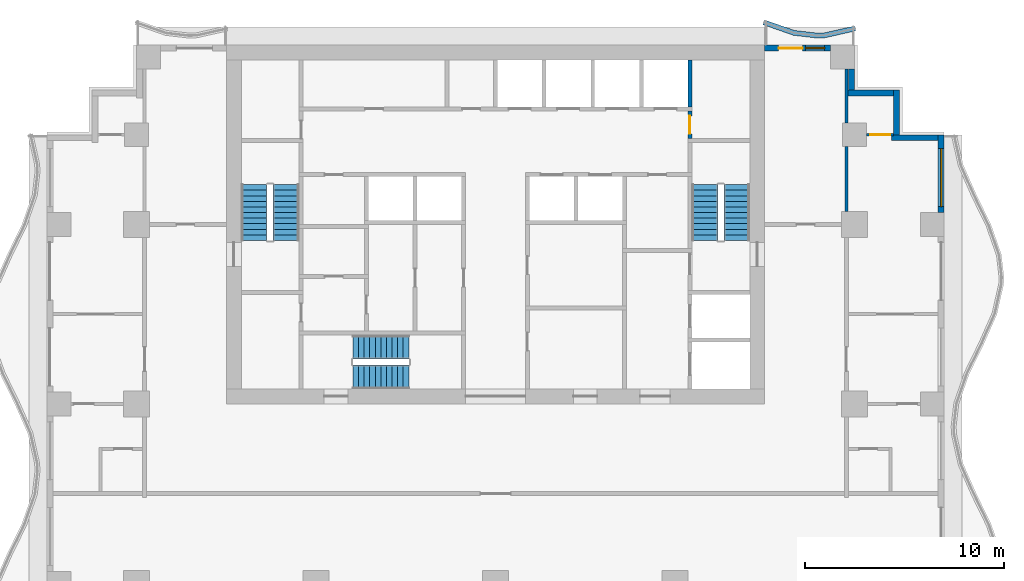
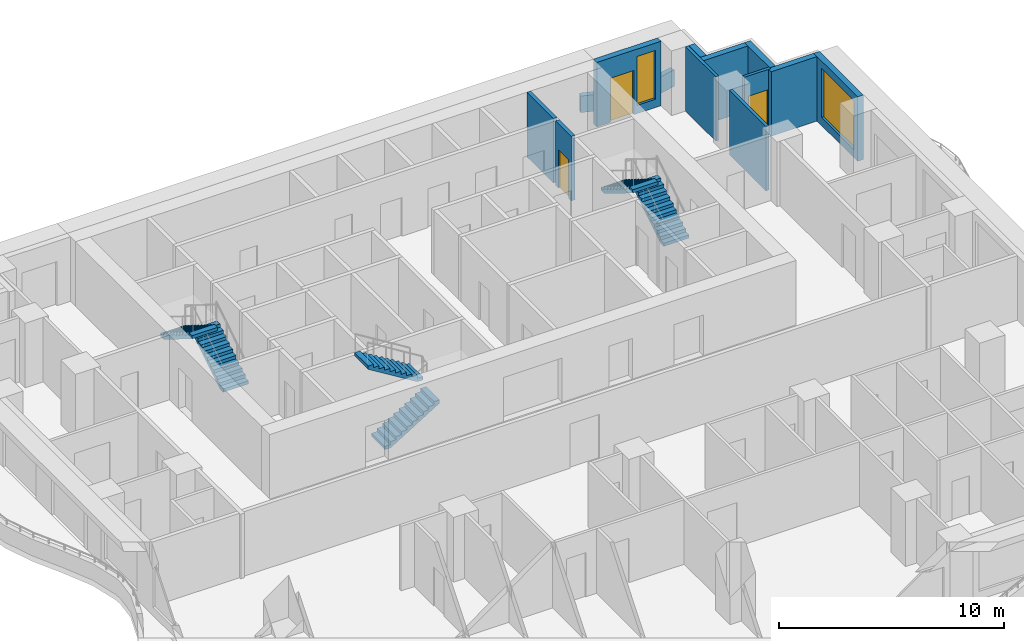
# One storey, part 6 of 10: 12 walls, 6 stair flights, 3 doors, 2 windows, 5 openings, 3 elements without a shape of their own.
"""IFC4 building model written with IfcOpenShell, lengths in metres."""

from ifc_helpers import new_model, si_unit, direction, frame, frame_2d, origin, place, context, subcontext, project, spatial, polyline, rectangle, outline, extrude, material, layer, layer_set, type_object, element, fill, aggregate, save


model = new_model("IFC4")

# Units and contexts
model_context = context("Model", 3, precision=1e-05, world=origin(), true_north=direction((0.0, 1.0)))
body_context = subcontext(model_context, "Body", "Model", "MODEL_VIEW")
ifc_project = project(units=[si_unit("LENGTHUNIT", "METRE"), si_unit("AREAUNIT", "SQUARE_METRE"), si_unit("VOLUMEUNIT", "CUBIC_METRE"), si_unit("PLANEANGLEUNIT", "RADIAN"), si_unit("MASSUNIT", "GRAM", prefix="KILO")], contexts=[model_context])

# Site, building, storey
site_placement = place(None, origin())
site = spatial("IfcSite", under=ifc_project, at=site_placement, CompositionType="ELEMENT")
building_placement = place(site_placement, origin())
building = spatial("IfcBuilding", under=site, at=building_placement, Name="Orbiselva Terraces", CompositionType="ELEMENT")
storey_placement = place(building_placement, frame((0.0, 0.0, 132.6)))
storey = spatial("IfcBuildingStorey", under=building, at=storey_placement, Name="L33", CompositionType="ELEMENT", Elevation=132.6)

# Wall, opening, door
ifc_material_1 = material(Name="Masonry blockwork", Category="masonry")
ifc_layer_1 = layer(ifc_material_1, 0.2)
ifc_layer_set_1 = layer_set([ifc_layer_1], Name="Masonry blockwork")
wall_type_1 = type_object("IfcWallType", Name="CORE-WALL-PARTITION-200", PredefinedType="PARTITIONING", material=ifc_layer_set_1)
wall_1_placement = place(storey_placement, frame((9.75, 19.2, 0.0), z_axis=(0.0, 0.0, 1.0), x_axis=(0.0, -1.0, 0.0)))
wall_1 = element("IfcWall", 1, at=wall_1_placement, inside=storey, type_object=wall_type_1, Name="L33 core wall 50", PredefinedType="PARTITIONING", context=body_context, shape_type="SweptSolid", body=[
    extrude(rectangle(XDim=1.4, YDim=0.2, at=frame_2d((0.7, 0.0))), origin(), (0.0, 0.0, 1.0), 3.5),
])
opening_1_placement = place(wall_1_placement, frame((0.25, 0.0, 0.0)))
opening_1 = element("IfcOpeningElement", 2, at=opening_1_placement, cuts=wall_1, Name="Opening DR900", PredefinedType="OPENING", context=body_context, shape_type="SweptSolid", body=[
    extrude(rectangle(XDim=0.9, YDim=2.1, at=frame_2d((0.45, 1.05))), frame((0.0, 0.11, 0.0), z_axis=(0.0, -1.0, 0.0), x_axis=(1.0, 0.0, 0.0)), (0.0, 0.0, 1.0), 0.22),
])
ifc_material_2 = material(Name="Steel fire door", Category="steel")
door_type_1 = type_object("IfcDoorType", Name="ROOM DOOR 900", OperationType="NOTDEFINED", PredefinedType="DOOR", material=ifc_material_2)
door_1_placement = place(opening_1_placement, origin())
door_1 = element("IfcDoor", 3, at=door_1_placement, inside=storey, type_object=door_type_1, Name="L33 COMMS RISER ROOM door", OperationType="SINGLE_SWING_RIGHT", OverallHeight=2.1, OverallWidth=0.9, PredefinedType="DOOR", context=body_context, shape_type="SweptSolid", body=[
    extrude(rectangle(XDim=0.9, YDim=2.1, at=frame_2d((0.45, 1.05))), frame((0.0, 0.025, 0.0), z_axis=(0.0, -1.0, 0.0), x_axis=(1.0, 0.0, 0.0)), (0.0, 0.0, 1.0), 0.05),
])
fill(opening_1, door_1)

# Walls
ifc_material_3 = material(Name="Concrete C40/50", Category="concrete")
ifc_layer_2 = layer(ifc_material_3, 0.2)
ifc_layer_set_2 = layer_set([ifc_layer_2], Name="Concrete C40/50")
wall_type_2 = type_object("IfcWallType", Name="CORE-WALL-SHAFT-200", PredefinedType="PARTITIONING", material=ifc_layer_set_2)
wall_2_placement = place(storey_placement, frame((9.75, 19.4, 0.0), z_axis=(0.0, 0.0, 1.0), x_axis=(0.0, 1.0, 0.0)))
element("IfcWall", 4, at=wall_2_placement, inside=storey, type_object=wall_type_2, Name="L33 core wall 51", PredefinedType="PARTITIONING", context=body_context, shape_type="SweptSolid", body=[
    extrude(rectangle(XDim=2.35, YDim=0.2, at=frame_2d((1.175, 0.0))), origin(), (0.0, 0.0, 1.0), 3.5),
])
ifc_layer_3 = layer(ifc_material_3, 0.25)
ifc_layer_set_3 = layer_set([ifc_layer_3], Name="Concrete C40/50")
wall_type_3 = type_object("IfcWallType", Name="ENV-PLANTER-250x900", PredefinedType="USERDEFINED", material=ifc_layer_set_3)
wall_3_placement = place(storey_placement, origin())
element("IfcWall", 5, at=wall_3_placement, inside=storey, type_object=wall_type_3, Name="Balcony planter L33 NE", ObjectType="PLANTER", PredefinedType="USERDEFINED", context=body_context, shape_type="SweptSolid", body=[
    extrude(outline(polyline([(18.0, 23.451472), (16.5, 23.114774), (16.125, 23.1), (15.0, 23.230792), (13.5, 23.755211), (13.417494, 23.519218), (14.943629, 22.985662), (16.115428, 22.849429), (16.532565, 22.865863), (18.054754, 23.207542), (18.0, 23.451472)])), origin(), (0.0, 0.0, 1.0), 0.9),
])

# Wall, opening, window
ifc_material_4 = material(Name="Terracotta cladding on masonry backing", Category="masonry")
ifc_layer_4 = layer(ifc_material_4, 0.3)
ifc_layer_set_4 = layer_set([ifc_layer_4], Name="Terracotta cladding on masonry backing")
wall_type_4 = type_object("IfcWallType", Name="ENV-WALL-TERRACOTTA-300", PredefinedType="SOLIDWALL", material=ifc_layer_set_4)
wall_4_placement = place(storey_placement, frame((22.35, 18.0, 0.0), z_axis=(0.0, 0.0, 1.0), x_axis=(0.0, -1.0, 0.0)))
wall_4 = element("IfcWall", 6, at=wall_4_placement, inside=storey, type_object=wall_type_4, Name="Facade wall L33 E", PredefinedType="SOLIDWALL", context=body_context, shape_type="SweptSolid", body=[
    extrude(rectangle(XDim=3.9, YDim=0.3, at=frame_2d((1.95, 0.0))), origin(), (0.0, 0.0, 1.0), 3.5),
])
opening_2_placement = place(wall_4_placement, frame((0.7, 0.0, 0.45)))
opening_2 = element("IfcOpeningElement", 7, at=opening_2_placement, cuts=wall_4, Name="Opening WN8", PredefinedType="OPENING", context=body_context, shape_type="SweptSolid", body=[
    extrude(rectangle(XDim=2.9, YDim=2.65, at=frame_2d((1.45, 1.325))), frame((0.0, 0.16, 0.0), z_axis=(0.0, -1.0, 0.0), x_axis=(1.0, 0.0, 0.0)), (0.0, 0.0, 1.0), 0.32),
])
ifc_material_5 = material(Name="Clear low-e glazing in aluminium frame", Category="aluminium")
window_type_1 = type_object("IfcWindowType", Name="WINDOW 2900 X 2650 S450", PartitioningType="TRIPLE_PANEL_VERTICAL", PredefinedType="WINDOW", material=ifc_material_5)
window_1_placement = place(opening_2_placement, origin())
window_1 = element("IfcWindow", 8, at=window_1_placement, inside=storey, type_object=window_type_1, Name="Window L33 E", OverallHeight=2.65, OverallWidth=2.9, PartitioningType="SINGLE_PANEL", PredefinedType="WINDOW", context=body_context, shape_type="SweptSolid", body=[
    extrude(rectangle(XDim=2.9, YDim=2.65, at=frame_2d((1.45, 1.325))), frame((0.0, 0.03, 0.0), z_axis=(0.0, -1.0, 0.0), x_axis=(1.0, 0.0, 0.0)), (0.0, 0.0, 1.0), 0.06),
])
fill(opening_2, window_1)

# Walls
wall_5_placement = place(storey_placement, frame((19.85, 17.85, 0.0), z_axis=(0.0, 0.0, 1.0), x_axis=(1.0, 0.0, 0.0)))
element("IfcWall", 9, at=wall_5_placement, inside=storey, type_object=wall_type_4, Name="Facade wall L33 STEP", PredefinedType="SOLIDWALL", context=body_context, shape_type="SweptSolid", body=[
    extrude(rectangle(XDim=2.35, YDim=0.3, at=frame_2d((1.175, 0.0))), origin(), (0.0, 0.0, 1.0), 3.5),
])
wall_6_placement = place(storey_placement, frame((20.1, 20.25, 0.0), z_axis=(0.0, 0.0, 1.0), x_axis=(0.0, -1.0, 0.0)))
element("IfcWall", 10, at=wall_6_placement, inside=storey, type_object=wall_type_4, Name="Facade wall L33 STEP", PredefinedType="SOLIDWALL", context=body_context, shape_type="SweptSolid", body=[
    extrude(rectangle(XDim=2.25, YDim=0.3, at=frame_2d((1.125, 0.0))), origin(), (0.0, 0.0, 1.0), 3.5),
])
wall_7_placement = place(storey_placement, frame((17.6, 20.1, 0.0), z_axis=(0.0, 0.0, 1.0), x_axis=(1.0, 0.0, 0.0)))
element("IfcWall", 11, at=wall_7_placement, inside=storey, type_object=wall_type_4, Name="Facade wall L33 STEP", PredefinedType="SOLIDWALL", context=body_context, shape_type="SweptSolid", body=[
    extrude(rectangle(XDim=2.35, YDim=0.3, at=frame_2d((1.175, 0.0))), origin(), (0.0, 0.0, 1.0), 3.5),
])
wall_8_placement = place(storey_placement, frame((17.85, 21.3, 0.0), z_axis=(0.0, 0.0, 1.0), x_axis=(0.0, -1.0, 0.0)))
element("IfcWall", 12, at=wall_8_placement, inside=storey, type_object=wall_type_4, Name="Facade wall L33 STEP", PredefinedType="SOLIDWALL", context=body_context, shape_type="SweptSolid", body=[
    extrude(rectangle(XDim=1.05, YDim=0.3, at=frame_2d((0.525, 0.0))), origin(), (0.0, 0.0, 1.0), 3.5),
])

# Wall, openings, door, window
wall_9_placement = place(storey_placement, frame((13.5, 22.35, 0.0), z_axis=(0.0, 0.0, 1.0), x_axis=(1.0, 0.0, 0.0)))
wall_9 = element("IfcWall", 13, at=wall_9_placement, inside=storey, type_object=wall_type_4, Name="Facade wall L33 NE", PredefinedType="SOLIDWALL", context=body_context, shape_type="SweptSolid", body=[
    extrude(rectangle(XDim=3.3, YDim=0.3, at=frame_2d((1.65, 0.0))), origin(), (0.0, 0.0, 1.0), 3.5),
])
opening_3_placement = place(wall_9_placement, frame((2.05, 0.0, 0.45)))
opening_3 = element("IfcOpeningElement", 14, at=opening_3_placement, cuts=wall_9, Name="Opening WN9", PredefinedType="OPENING", context=body_context, shape_type="SweptSolid", body=[
    extrude(rectangle(XDim=0.95, YDim=2.65, at=frame_2d((0.475, 1.325))), frame((0.0, 0.16, 0.0), z_axis=(0.0, -1.0, 0.0), x_axis=(1.0, 0.0, 0.0)), (0.0, 0.0, 1.0), 0.32),
])
opening_4_placement = place(wall_9_placement, frame((0.7, 0.0, 0.0)))
opening_4 = element("IfcOpeningElement", 15, at=opening_4_placement, cuts=wall_9, Name="Opening Z3-A-E19", PredefinedType="OPENING", context=body_context, shape_type="SweptSolid", body=[
    extrude(rectangle(XDim=1.2, YDim=2.4, at=frame_2d((0.6, 1.2))), frame((0.0, 0.16, 0.0), z_axis=(0.0, -1.0, 0.0), x_axis=(1.0, 0.0, 0.0)), (0.0, 0.0, 1.0), 0.32),
])
door_type_2 = type_object("IfcDoorType", Name="BALCONY DOOR 1200 X 2400", OperationType="DOUBLE_DOOR_SLIDING", PredefinedType="DOOR", material=ifc_material_5)
door_2_placement = place(opening_4_placement, origin())
door_2 = element("IfcDoor", 16, at=door_2_placement, inside=storey, type_object=door_type_2, Name="Z3-A-E19", OperationType="SINGLE_SWING_LEFT", OverallHeight=2.4, OverallWidth=1.2, PredefinedType="DOOR", context=body_context, shape_type="SweptSolid", body=[
    extrude(rectangle(XDim=1.2, YDim=2.4, at=frame_2d((0.6, 1.2))), frame((0.0, 0.025, 0.0), z_axis=(0.0, -1.0, 0.0), x_axis=(1.0, 0.0, 0.0)), (0.0, 0.0, 1.0), 0.05),
])
fill(opening_4, door_2)
window_type_2 = type_object("IfcWindowType", Name="WINDOW 950 X 2650 S450", PartitioningType="TRIPLE_PANEL_VERTICAL", PredefinedType="WINDOW", material=ifc_material_5)
window_2_placement = place(opening_3_placement, origin())
window_2 = element("IfcWindow", 17, at=window_2_placement, inside=storey, type_object=window_type_2, Name="Window L33 NE", OverallHeight=2.65, OverallWidth=0.95, PartitioningType="SINGLE_PANEL", PredefinedType="WINDOW", context=body_context, shape_type="SweptSolid", body=[
    extrude(rectangle(XDim=0.95, YDim=2.65, at=frame_2d((0.475, 1.325))), frame((0.0, 0.03, 0.0), z_axis=(0.0, -1.0, 0.0), x_axis=(1.0, 0.0, 0.0)), (0.0, 0.0, 1.0), 0.06),
])
fill(opening_3, window_2)

# Wall, opening, door
ifc_material_6 = material(Name="Plasterboard on steel stud partition", Category="steel")
ifc_layer_5 = layer(ifc_material_6, 0.15)
ifc_layer_set_5 = layer_set([ifc_layer_5], Name="Plasterboard on steel stud partition")
wall_type_5 = type_object("IfcWallType", Name="UNIT-PARTITION-150", PredefinedType="PARTITIONING", material=ifc_layer_set_5)
wall_10_placement = place(storey_placement, frame((18.6, 18.0, 0.0), z_axis=(0.0, 0.0, 1.0), x_axis=(1.0, 0.0, 0.0)))
wall_10 = element("IfcWall", 18, at=wall_10_placement, inside=storey, type_object=wall_type_5, Name="PARTITION L33-034", PredefinedType="PARTITIONING", context=body_context, shape_type="SweptSolid", body=[
    extrude(rectangle(XDim=1.35, YDim=0.15, at=frame_2d((0.675, 0.0))), origin(), (0.0, 0.0, 1.0), 3.5),
])
opening_5_placement = place(wall_10_placement, frame((0.2, 0.0, 0.0)))
opening_5 = element("IfcOpeningElement", 19, at=opening_5_placement, cuts=wall_10, Name="Opening Z3-A-12", PredefinedType="OPENING", context=body_context, shape_type="SweptSolid", body=[
    extrude(rectangle(XDim=1.0, YDim=2.4, at=frame_2d((0.5, 1.2))), frame((0.0, 0.085, 0.0), z_axis=(0.0, -1.0, 0.0), x_axis=(1.0, 0.0, 0.0)), (0.0, 0.0, 1.0), 0.17),
])
ifc_material_7 = material(Name="Painted timber door leaf", Category="wood")
door_type_3 = type_object("IfcDoorType", Name="ROOM DOOR 1000", OperationType="NOTDEFINED", PredefinedType="DOOR", material=ifc_material_7)
door_3_placement = place(opening_5_placement, origin())
door_3 = element("IfcDoor", 20, at=door_3_placement, inside=storey, type_object=door_type_3, Name="Z3-A-12", OperationType="SINGLE_SWING_RIGHT", OverallHeight=2.4, OverallWidth=1.0, PredefinedType="DOOR", context=body_context, shape_type="SweptSolid", body=[
    extrude(rectangle(XDim=1.0, YDim=2.4, at=frame_2d((0.5, 1.2))), frame((0.0, 0.025, 0.0), z_axis=(0.0, -1.0, 0.0), x_axis=(1.0, 0.0, 0.0)), (0.0, 0.0, 1.0), 0.05),
])
fill(opening_5, door_3)

# Walls
wall_11_placement = place(storey_placement, frame((17.6, 14.15, 0.0), z_axis=(0.0, 0.0, 1.0), x_axis=(0.0, 1.0, 0.0)))
element("IfcWall", 21, at=wall_11_placement, inside=storey, type_object=wall_type_5, Name="PARTITION L33-060", PredefinedType="PARTITIONING", context=body_context, shape_type="SweptSolid", body=[
    extrude(rectangle(XDim=3.25, YDim=0.15, at=frame_2d((1.625, 0.0))), origin(), (0.0, 0.0, 1.0), 3.5),
])
wall_12_placement = place(storey_placement, frame((17.6, 18.6, 0.0), z_axis=(0.0, 0.0, 1.0), x_axis=(0.0, 1.0, 0.0)))
element("IfcWall", 22, at=wall_12_placement, inside=storey, type_object=wall_type_5, Name="PARTITION L33-061", PredefinedType="PARTITIONING", context=body_context, shape_type="SweptSolid", body=[
    extrude(rectangle(XDim=2.7, YDim=0.15, at=frame_2d((1.35, 0.0))), origin(), (0.0, 0.0, 1.0), 3.5),
])

# Stair, stair flights
stair_type_1 = type_object("IfcStairType", Name="CORE-STAIR-1200", PredefinedType="HALF_TURN_STAIR", material=ifc_material_3)
stair_1_placement = place(storey_placement, origin())
stair_1 = element("IfcStair", 23, at=stair_1_placement, inside=storey, type_object=stair_type_1, Name="L33 Exit Stair S3", PredefinedType="HALF_TURN_STAIR")
stair_flight_type_1 = type_object("IfcStairFlightType", Name="CORE-STAIR-FLIGHT-1200", PredefinedType="STRAIGHT", material=ifc_material_3)
stair_flight_1_placement = place(storey_placement, frame((-7.15, 5.85, 0.0), z_axis=(0.0, 0.0, 1.0), x_axis=(1.0, 0.0, 0.0)))
stair_flight_1 = element("IfcStairFlight", 24, at=stair_flight_1_placement, type_object=stair_flight_type_1, Name="S3 flight 1", NumberOfRisers=11, NumberOfTreads=10, PredefinedType="STRAIGHT", RiserHeight=0.172727273, TreadLength=0.28, context=body_context, shape_type="SweptSolid", body=[
    extrude(outline(polyline([(0.0, 0.0), (0.0, 0.172727), (0.28, 0.172727), (0.28, 0.345455), (0.56, 0.345455), (0.56, 0.518182), (0.84, 0.518182), (0.84, 0.690909), (1.12, 0.690909), (1.12, 0.863636), (1.4, 0.863636), (1.4, 1.036364), (1.68, 1.036364), (1.68, 1.209091), (1.96, 1.209091), (1.96, 1.381818), (2.24, 1.381818), (2.24, 1.554545), (2.52, 1.554545), (2.52, 1.727273), (2.8, 1.727273), (2.8, 1.9), (2.8, 1.551028), (0.285702, 0.0), (0.0, 0.0)])), frame((0.0, 0.6, 0.0), z_axis=(0.0, -1.0, 0.0), x_axis=(1.0, 0.0, 0.0)), (0.0, 0.0, 1.0), 1.2),
])
stair_flight_2_placement = place(storey_placement, frame((-4.35, 7.35, 1.9), z_axis=(0.0, 0.0, 1.0), x_axis=(-1.0, 0.0, 0.0)))
stair_flight_2 = element("IfcStairFlight", 25, at=stair_flight_2_placement, type_object=stair_flight_type_1, Name="S3 flight 2", NumberOfRisers=11, NumberOfTreads=10, PredefinedType="STRAIGHT", RiserHeight=0.172727273, TreadLength=0.28, context=body_context, shape_type="SweptSolid", body=[
    extrude(outline(polyline([(0.0, 0.0), (0.0, 0.172727), (0.28, 0.172727), (0.28, 0.345455), (0.56, 0.345455), (0.56, 0.518182), (0.84, 0.518182), (0.84, 0.690909), (1.12, 0.690909), (1.12, 0.863636), (1.4, 0.863636), (1.4, 1.036364), (1.68, 1.036364), (1.68, 1.209091), (1.96, 1.209091), (1.96, 1.381818), (2.24, 1.381818), (2.24, 1.554545), (2.52, 1.554545), (2.52, 1.727273), (2.8, 1.727273), (2.8, 1.9), (2.8, 1.551028), (0.285702, 0.0), (0.0, 0.0)])), frame((0.0, 0.6, 0.0), z_axis=(0.0, -1.0, 0.0), x_axis=(1.0, 0.0, 0.0)), (0.0, 0.0, 1.0), 1.2),
])
aggregate(stair_1, [stair_flight_1, stair_flight_2])

stair_type_2 = type_object("IfcStairType", Name="CORE-STAIR-1300", PredefinedType="HALF_TURN_STAIR", material=ifc_material_3)
stair_2_placement = place(storey_placement, origin())
stair_2 = element("IfcStair", 26, at=stair_2_placement, inside=storey, type_object=stair_type_2, Name="L33 Exit Stair S1", PredefinedType="HALF_TURN_STAIR")
stair_flight_type_2 = type_object("IfcStairFlightType", Name="CORE-STAIR-FLIGHT-1300", PredefinedType="STRAIGHT", material=ifc_material_3)
stair_flight_3_placement = place(storey_placement, frame((-10.5, 12.7, 0.0), z_axis=(0.0, 0.0, 1.0), x_axis=(0.0, 1.0, 0.0)))
stair_flight_3 = element("IfcStairFlight", 27, at=stair_flight_3_placement, type_object=stair_flight_type_2, Name="S1 flight 1", NumberOfRisers=11, NumberOfTreads=10, PredefinedType="STRAIGHT", RiserHeight=0.172727273, TreadLength=0.28, context=body_context, shape_type="SweptSolid", body=[
    extrude(outline(polyline([(0.0, 0.0), (0.0, 0.172727), (0.28, 0.172727), (0.28, 0.345455), (0.56, 0.345455), (0.56, 0.518182), (0.84, 0.518182), (0.84, 0.690909), (1.12, 0.690909), (1.12, 0.863636), (1.4, 0.863636), (1.4, 1.036364), (1.68, 1.036364), (1.68, 1.209091), (1.96, 1.209091), (1.96, 1.381818), (2.24, 1.381818), (2.24, 1.554545), (2.52, 1.554545), (2.52, 1.727273), (2.8, 1.727273), (2.8, 1.9), (2.8, 1.551028), (0.285702, 0.0), (0.0, 0.0)])), frame((0.0, 0.65, 0.0), z_axis=(0.0, -1.0, 0.0), x_axis=(1.0, 0.0, 0.0)), (0.0, 0.0, 1.0), 1.3),
])
stair_flight_4_placement = place(storey_placement, frame((-12.1, 15.5, 1.9), z_axis=(0.0, 0.0, 1.0), x_axis=(0.0, -1.0, 0.0)))
stair_flight_4 = element("IfcStairFlight", 28, at=stair_flight_4_placement, type_object=stair_flight_type_2, Name="S1 flight 2", NumberOfRisers=11, NumberOfTreads=10, PredefinedType="STRAIGHT", RiserHeight=0.172727273, TreadLength=0.28, context=body_context, shape_type="SweptSolid", body=[
    extrude(outline(polyline([(0.0, 0.0), (0.0, 0.172727), (0.28, 0.172727), (0.28, 0.345455), (0.56, 0.345455), (0.56, 0.518182), (0.84, 0.518182), (0.84, 0.690909), (1.12, 0.690909), (1.12, 0.863636), (1.4, 0.863636), (1.4, 1.036364), (1.68, 1.036364), (1.68, 1.209091), (1.96, 1.209091), (1.96, 1.381818), (2.24, 1.381818), (2.24, 1.554545), (2.52, 1.554545), (2.52, 1.727273), (2.8, 1.727273), (2.8, 1.9), (2.8, 1.551028), (0.285702, 0.0), (0.0, 0.0)])), frame((0.0, 0.65, 0.0), z_axis=(0.0, -1.0, 0.0), x_axis=(1.0, 0.0, 0.0)), (0.0, 0.0, 1.0), 1.3),
])
aggregate(stair_2, [stair_flight_3, stair_flight_4])

stair_3_placement = place(storey_placement, origin())
stair_3 = element("IfcStair", 29, at=stair_3_placement, inside=storey, type_object=stair_type_2, Name="L33 Exit Stair S2", PredefinedType="HALF_TURN_STAIR")
stair_flight_5_placement = place(storey_placement, frame((12.1, 12.7, 0.0), z_axis=(0.0, 0.0, 1.0), x_axis=(0.0, 1.0, 0.0)))
stair_flight_5 = element("IfcStairFlight", 30, at=stair_flight_5_placement, type_object=stair_flight_type_2, Name="S2 flight 1", NumberOfRisers=11, NumberOfTreads=10, PredefinedType="STRAIGHT", RiserHeight=0.172727273, TreadLength=0.28, context=body_context, shape_type="SweptSolid", body=[
    extrude(outline(polyline([(0.0, 0.0), (0.0, 0.172727), (0.28, 0.172727), (0.28, 0.345455), (0.56, 0.345455), (0.56, 0.518182), (0.84, 0.518182), (0.84, 0.690909), (1.12, 0.690909), (1.12, 0.863636), (1.4, 0.863636), (1.4, 1.036364), (1.68, 1.036364), (1.68, 1.209091), (1.96, 1.209091), (1.96, 1.381818), (2.24, 1.381818), (2.24, 1.554545), (2.52, 1.554545), (2.52, 1.727273), (2.8, 1.727273), (2.8, 1.9), (2.8, 1.551028), (0.285702, 0.0), (0.0, 0.0)])), frame((0.0, 0.65, 0.0), z_axis=(0.0, -1.0, 0.0), x_axis=(1.0, 0.0, 0.0)), (0.0, 0.0, 1.0), 1.3),
])
stair_flight_6_placement = place(storey_placement, frame((10.5, 15.5, 1.9), z_axis=(0.0, 0.0, 1.0), x_axis=(0.0, -1.0, 0.0)))
stair_flight_6 = element("IfcStairFlight", 31, at=stair_flight_6_placement, type_object=stair_flight_type_2, Name="S2 flight 2", NumberOfRisers=11, NumberOfTreads=10, PredefinedType="STRAIGHT", RiserHeight=0.172727273, TreadLength=0.28, context=body_context, shape_type="SweptSolid", body=[
    extrude(outline(polyline([(0.0, 0.0), (0.0, 0.172727), (0.28, 0.172727), (0.28, 0.345455), (0.56, 0.345455), (0.56, 0.518182), (0.84, 0.518182), (0.84, 0.690909), (1.12, 0.690909), (1.12, 0.863636), (1.4, 0.863636), (1.4, 1.036364), (1.68, 1.036364), (1.68, 1.209091), (1.96, 1.209091), (1.96, 1.381818), (2.24, 1.381818), (2.24, 1.554545), (2.52, 1.554545), (2.52, 1.727273), (2.8, 1.727273), (2.8, 1.9), (2.8, 1.551028), (0.285702, 0.0), (0.0, 0.0)])), frame((0.0, 0.65, 0.0), z_axis=(0.0, -1.0, 0.0), x_axis=(1.0, 0.0, 0.0)), (0.0, 0.0, 1.0), 1.3),
])
aggregate(stair_3, [stair_flight_5, stair_flight_6])

save(model, "model.ifc")
